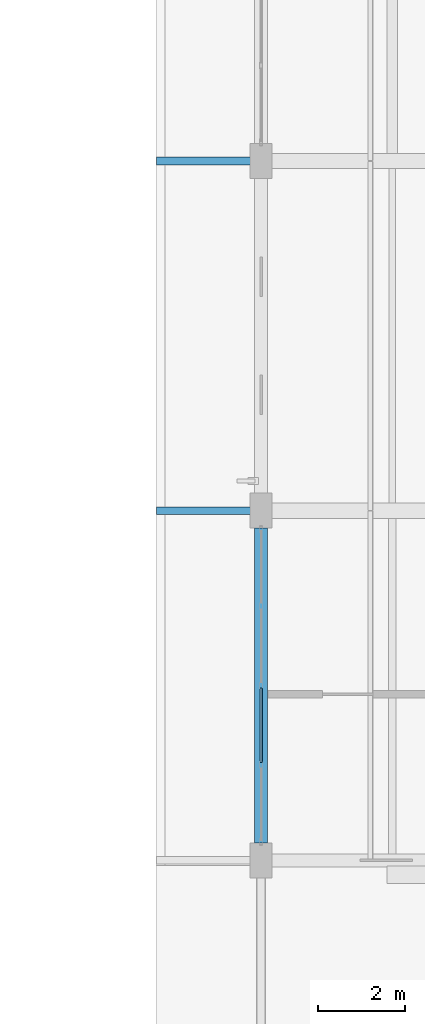
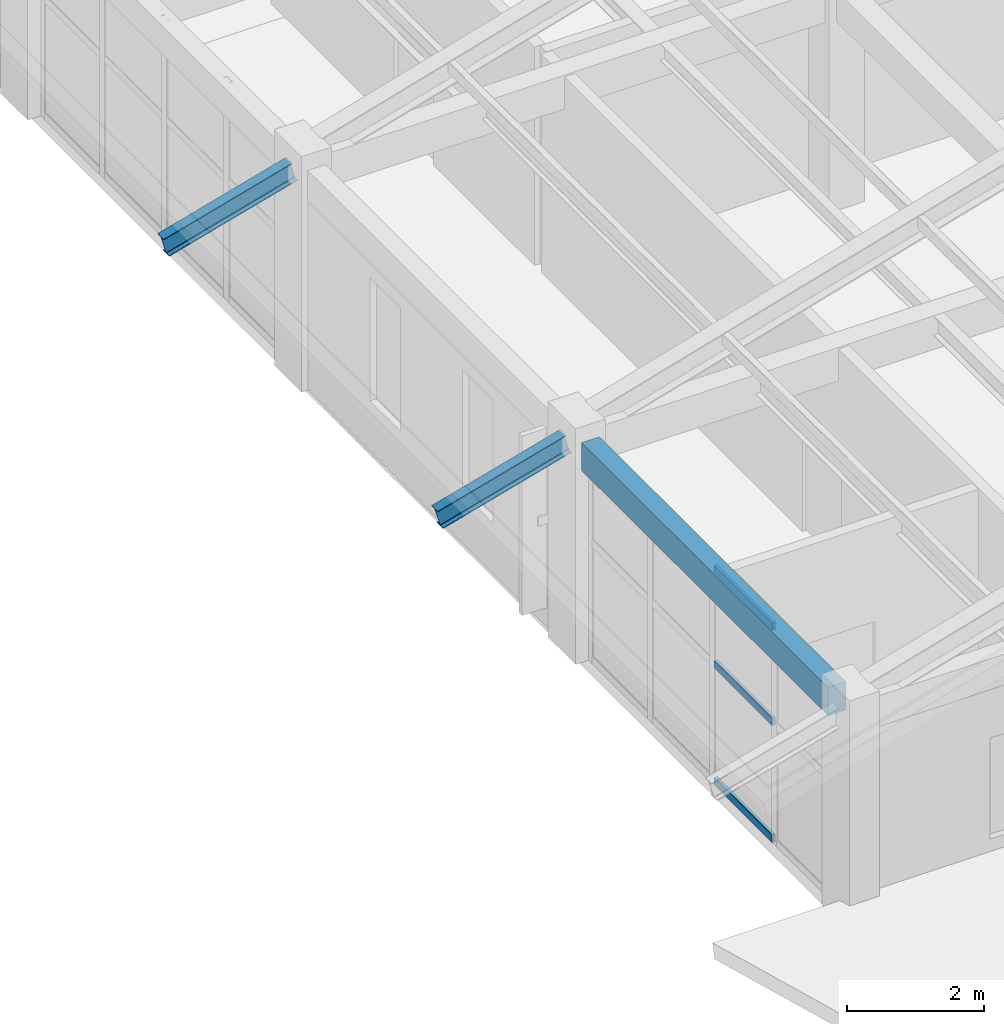
# One storey, part 11 of 58: 3 beams, 3 members, 1 element without a shape of its own.
"""IFC4 building model written with IfcOpenShell, lengths in metres."""

import ifcopenshell
import ifcopenshell.guid

model = None  # the IFC model being written
_history = None  # IfcOwnerHistory: only IFC2X3 demands one
_inside = {}  # id of a spatial element -> (the spatial element, [elements in it])
_under = {}  # id of a project, library or spatial element -> (it, [spatial elements below it])
_declared = {}  # id of a project -> (the project, [libraries it declares])
_typed = {}  # id of a type object -> (the type object, [elements of that type])
_made_of = {}  # id of a material, layer set ... -> (it, [elements and type objects made of it])


def new_model(schema):
    """Start an empty IFC model of exactly this schema.

    Asked for "IFC4X3", IfcOpenShell would pick the latest addendum, in which some entities
    have other attributes; the version numbers below select the first issue.
    IFC2X3 requires an IfcOwnerHistory on every rooted entity: one is made here for all.
    """
    global model, _history
    if schema == "IFC4X3":
        model = ifcopenshell.file(schema_version=(4, 3, 0, 0))
    else:
        model = ifcopenshell.file(schema=schema)
    _inside.clear()
    _under.clear()
    _declared.clear()
    _typed.clear()
    _made_of.clear()
    _history = None
    if model.schema == "IFC2X3":
        org = make("IfcOrganization", Name="unknown")
        user = make(
            "IfcPersonAndOrganization",
            ThePerson=make("IfcPerson", FamilyName="unknown"),
            TheOrganization=org,
        )
        app = make(
            "IfcApplication",
            ApplicationDeveloper=org,
            Version="unknown",
            ApplicationFullName="unknown",
            ApplicationIdentifier="unknown",
        )
        _history = make(
            "IfcOwnerHistory",
            OwningUser=user,
            OwningApplication=app,
            ChangeAction="ADDED",
            CreationDate=0,
        )
    return model


def make(cls, **values):
    """One entity of the class cls with the attributes given. An attribute that is None is left unset."""
    return model.create_entity(
        cls, **{name: value for name, value in values.items() if value is not None}
    )


def rooted(cls, **values):
    """An entity with a GlobalId (a new one), such as an element, a storey or a relation."""
    return make(cls, GlobalId=ifcopenshell.guid.new(), OwnerHistory=_history, **values)


def si_unit(unit_type, name, prefix=None):
    """IfcSIUnit, for example si_unit("LENGTHUNIT", "METRE", prefix="MILLI")."""
    return make("IfcSIUnit", UnitType=unit_type, Prefix=prefix, Name=name)


def derived_unit(unit_type, elements):
    """IfcDerivedUnit: a product of units, each with its exponent."""
    return make(
        "IfcDerivedUnit",
        Elements=[
            make("IfcDerivedUnitElement", Unit=unit, Exponent=power)
            for unit, power in elements
        ],
        UnitType=unit_type,
    )


def assignment(units):
    """IfcUnitAssignment: the units of a project."""
    return None if units is None else make("IfcUnitAssignment", Units=units)


def point(xyz):
    """IfcCartesianPoint."""
    return None if xyz is None else make("IfcCartesianPoint", Coordinates=xyz)


def direction(xyz):
    """IfcDirection."""
    return None if xyz is None else make("IfcDirection", DirectionRatios=xyz)


def frame(location, z_axis=None, x_axis=None):
    """IfcAxis2Placement3D, a coordinate frame: its origin and axes. An axis left out is left unset."""
    return make(
        "IfcAxis2Placement3D",
        Location=point(location),
        Axis=direction(z_axis),
        RefDirection=direction(x_axis),
    )


def frame_2d(location, x_axis=None):
    """IfcAxis2Placement2D, a coordinate frame in the plane: its origin and x axis."""
    return make(
        "IfcAxis2Placement2D", Location=point(location), RefDirection=direction(x_axis)
    )


def origin():
    """The frame at (0, 0, 0) with its axes left unset."""
    return frame((0.0, 0.0, 0.0))


def origin_2d():
    """The frame at (0, 0) in the plane with its x axis left unset."""
    return frame_2d((0.0, 0.0))


def place(relative_to, where):
    """IfcLocalPlacement: puts the frame where relative to a parent placement (None: the world)."""
    return make(
        "IfcLocalPlacement", PlacementRelTo=relative_to, RelativePlacement=where
    )


def context(
    kind, dimensions, precision=None, world=None, true_north=None, identifier=None
):
    """IfcGeometricRepresentationContext, for example the 3D "Model" context."""
    return make(
        "IfcGeometricRepresentationContext",
        ContextIdentifier=identifier,
        ContextType=kind,
        CoordinateSpaceDimension=dimensions,
        Precision=precision,
        WorldCoordinateSystem=world,
        TrueNorth=true_north,
    )


def subcontext(parent, identifier, kind, view, scale=None):
    """IfcGeometricRepresentationSubContext, for example "Body" below "Model"."""
    return make(
        "IfcGeometricRepresentationSubContext",
        ContextIdentifier=identifier,
        ContextType=kind,
        ParentContext=parent,
        TargetScale=scale,
        TargetView=view,
    )


def project(units=None, contexts=None):
    """IfcProject with its units and contexts."""
    return rooted(
        "IfcProject",
        Name="project",
        RepresentationContexts=contexts,
        UnitsInContext=assignment(units),
    )


def spatial(cls, under=None, at=None, **own):
    """A site, building, storey or space (cls), placed at a placement, below another one or the project."""
    s = rooted(cls, ObjectPlacement=at, **own)
    if under is not None:
        _under.setdefault(under.id(), (under, []))[1].append(s)
    return s


def profile(cls, at=None, kind="AREA", **sizes):
    """A parametric profile (cls). Its sizes go by their IFC names, for example OverallWidth=200.0."""
    return make(cls, ProfileType=kind, Position=at, **sizes)


def rectangle(**sizes):
    """IfcRectangleProfileDef."""
    return profile("IfcRectangleProfileDef", **sizes)


def hollow_rectangle(**sizes):
    """IfcRectangleHollowProfileDef."""
    return profile("IfcRectangleHollowProfileDef", **sizes)


def i_section(**sizes):
    """IfcIShapeProfileDef."""
    return profile("IfcIShapeProfileDef", **sizes)


def extrude(swept, where, along, depth):
    """IfcExtrudedAreaSolid: the profile swept, set in the frame where, extruded along a direction by depth."""
    return make(
        "IfcExtrudedAreaSolid",
        SweptArea=swept,
        Position=where,
        ExtrudedDirection=direction(along),
        Depth=depth,
    )


def shape(context_of_items, identifier, shape_type, items):
    """IfcShapeRepresentation: the items that make up one representation, for example the "Body"."""
    return make(
        "IfcShapeRepresentation",
        ContextOfItems=context_of_items,
        RepresentationIdentifier=identifier,
        RepresentationType=shape_type,
        Items=items,
    )


def material(Name=None, Category=None):
    """IfcMaterial."""
    return make("IfcMaterial", Name=Name, Category=Category)


def material_profile(
    of_material, cross_section, Name=None, Category=None, Priority=None
):
    """IfcMaterialProfile: a cross section and its material."""
    return make(
        "IfcMaterialProfile",
        Name=Name,
        Material=of_material,
        Profile=cross_section,
        Priority=Priority,
        Category=Category,
    )


def profile_set(profiles, Name=None, composite=None):
    """IfcMaterialProfileSet."""
    return make(
        "IfcMaterialProfileSet",
        Name=Name,
        MaterialProfiles=profiles,
        CompositeProfile=composite,
    )


def made_of(thing, what):
    """Note that an element or type object is made of a material, layer set ...; save() writes the relation."""
    if what is not None:
        _made_of.setdefault(what.id(), (what, []))[1].append(thing)
    return thing


def type_object(cls, material=None, **own):
    """A type object (cls), such as IfcWallType, which elements share."""
    return made_of(rooted(cls, **own), material)


def element(
    cls,
    number,
    at=None,
    inside=None,
    cuts=None,
    type_object=None,
    material=None,
    context=None,
    identifier="Body",
    shape_type=None,
    held_by="IfcProductDefinitionShape",
    body=None,
    shapes=None,
    **own,
):
    """One element of the class cls, such as IfcWall. Its Tag is "e" and its number.

    at: its placement. inside: the storey or other place that contains it. cuts: it is an
    opening in that element (IfcRelVoidsElement). A single representation is given by context,
    identifier, shape_type and body (its items); several are given by shapes. held_by: the class
    of the entity that holds the representations. save() writes the other relations.
    """
    e = rooted(cls, Tag="e%d" % number, ObjectPlacement=at, **own)
    if body is not None:
        shapes = [shape(context, identifier, shape_type, body)]
    if shapes is not None:
        e.Representation = make(held_by, Representations=shapes)
    if inside is not None:
        _inside.setdefault(inside.id(), (inside, []))[1].append(e)
    if cuts is not None:
        rooted(
            "IfcRelVoidsElement", RelatingBuildingElement=cuts, RelatedOpeningElement=e
        )
    if type_object is not None:
        _typed.setdefault(type_object.id(), (type_object, []))[1].append(e)
    return made_of(e, material)


def aggregate(whole, parts):
    """IfcRelAggregates: a whole, such as a stair, and the parts it consists of."""
    return rooted("IfcRelAggregates", RelatingObject=whole, RelatedObjects=parts)


def save(model, path):
    """Write the relations noted so far, then the file.

    IfcRelAggregates (storeys below a building ...), IfcRelContainedInSpatialStructure (elements
    in a storey), IfcRelDefinesByType, IfcRelAssociatesMaterial and IfcRelDeclares: one each for
    every whole, place, type object, material and project.
    """
    for whole, parts in _under.values():
        aggregate(whole, parts)
    for where, things in _inside.values():
        rooted(
            "IfcRelContainedInSpatialStructure",
            RelatedElements=things,
            RelatingStructure=where,
        )
    for kind, things in _typed.values():
        rooted("IfcRelDefinesByType", RelatedObjects=things, RelatingType=kind)
    for what, things in _made_of.values():
        rooted("IfcRelAssociatesMaterial", RelatedObjects=things, RelatingMaterial=what)
    for by, libraries in _declared.values():
        rooted("IfcRelDeclares", RelatingContext=by, RelatedDefinitions=libraries)
    model.write(path)


model = new_model("IFC4")

# Units and contexts
model_context = context("Model", 3, precision=1e-05, world=origin(), true_north=direction((0.0, 1.0)))
body_context = subcontext(model_context, "Body", "Model", "MODEL_VIEW")
ifc_project = project(units=[si_unit("LENGTHUNIT", "METRE"), si_unit("AREAUNIT", "SQUARE_METRE"), si_unit("VOLUMEUNIT", "CUBIC_METRE"), si_unit("PLANEANGLEUNIT", "RADIAN"), si_unit("MASSUNIT", "GRAM", prefix="KILO"), derived_unit("THERMALTRANSMITTANCEUNIT", [(si_unit("MASSUNIT", "GRAM", prefix="KILO"), 1), (si_unit("TIMEUNIT", "SECOND"), -3), (si_unit("THERMODYNAMICTEMPERATUREUNIT", "KELVIN"), -1)])], contexts=[model_context])

# Site, building, storey
site_placement = place(None, origin())
site = spatial("IfcSite", under=ifc_project, at=site_placement, CompositionType="ELEMENT")
building_placement = place(site_placement, origin())
building = spatial("IfcBuilding", under=site, at=building_placement, Name="Zhenchuan Archway Interchange", CompositionType="ELEMENT")
storey_placement = place(building_placement, frame((0.0, 0.0, 22.800048828125)))
storey = spatial("IfcBuildingStorey", under=building, at=storey_placement, Name="L05", CompositionType="ELEMENT", Elevation=22.800048828125)

# Beams
ifc_material_1 = material(Name="Steel Q355", Category="steel")
ifc_material_profile_1 = material_profile(ifc_material_1, i_section(OverallWidth=0.175048828125, OverallDepth=0.35009765625, WebThickness=0.007080078125, FlangeThickness=0.010986328125, FilletRadius=0.013916015625, at=origin_2d()), Name="HN 350x175")
ifc_profile_set_1 = profile_set([ifc_material_profile_1], Name="Steel Q355")
beam_type_1 = type_object("IfcBeamType", Name="BM_STL_EAVE_HN350", PredefinedType="BEAM", material=ifc_profile_set_1)
for number, where, z_axis, x_axis, name in (
    (1, (143.820068359375, 32.0, 3.719970703125), (-0.963829493521, 0.0, -0.266519619201), (0.0, -1.0, 0.0), "Command wing west storm-eave bracket T2"),
    (2, (143.820068359375, 40.0, 3.719970703125), (-0.963829493521, 0.0, -0.266519619201), (0.0, -1.0, 0.0), "Command wing west storm-eave bracket T3"),
):
    element("IfcBeam", number, at=place(storey_placement, frame(where, z_axis=z_axis, x_axis=x_axis)), inside=storey, type_object=beam_type_1, Name=name, PredefinedType="BEAM", context=body_context, shape_type="SweptSolid", body=[
        extrude(i_section(OverallWidth=0.175048828125, OverallDepth=0.35009765625, WebThickness=0.007080078125, FlangeThickness=0.010986328125, FilletRadius=0.013916015625, at=origin_2d()), origin(), (0.0, 0.0, 1.0), 2.251708984375),
    ])

# Curtain wall, members
ifc_material_2 = material(Name="Anodised Aluminium", Category="aluminium")
curtain_wall_type = type_object("IfcCurtainWallType", Name="CW_UNIT_2", PredefinedType="NOTDEFINED", material=ifc_material_2)
curtain_wall_placement = place(storey_placement, origin())
curtain_wall = element("IfcCurtainWall", 3, at=curtain_wall_placement, inside=storey, type_object=curtain_wall_type, Name="Unitised curtain wall CW:L05:201", PredefinedType="NOTDEFINED")
ifc_material_profile_2 = material_profile(ifc_material_2, hollow_rectangle(XDim=0.06005859375, YDim=0.139892578125, WallThickness=0.00341796875, InnerFilletRadius=0.00341796875, OuterFilletRadius=0.007080078125, at=origin_2d()), Name="ALU 140x60x3.5")
ifc_profile_set_2 = profile_set([ifc_material_profile_2], Name="Anodised Aluminium")
member_type = type_object("IfcMemberType", Name="CW_TRN_140", PredefinedType="USERDEFINED", material=ifc_profile_set_2)
member_1_placement = place(storey_placement, frame((144.0, 26.243896484375, 0.06005859375), z_axis=(0.0, 1.0, 0.0), x_axis=(-1.0, 0.0, 0.0)))
member_1 = element("IfcMember", 4, at=member_1_placement, type_object=member_type, Name="CW:L05:201 transom 1-1", ObjectType="TRANSOM", PredefinedType="USERDEFINED", context=body_context, shape_type="SweptSolid", body=[
    extrude(hollow_rectangle(XDim=0.06005859375, YDim=0.139892578125, WallThickness=0.00341796875, InnerFilletRadius=0.00341796875, OuterFilletRadius=0.007080078125, at=origin_2d()), origin(), (0.0, 0.0, 1.0), 1.696044921875),
])
member_2_placement = place(storey_placement, frame((144.0, 26.243896484375, 2.14501953125), z_axis=(0.0, 1.0, 0.0), x_axis=(-1.0, 0.0, 0.0)))
member_2 = element("IfcMember", 5, at=member_2_placement, type_object=member_type, Name="CW:L05:201 transom 1-2", ObjectType="TRANSOM", PredefinedType="USERDEFINED", context=body_context, shape_type="SweptSolid", body=[
    extrude(hollow_rectangle(XDim=0.06005859375, YDim=0.139892578125, WallThickness=0.00341796875, InnerFilletRadius=0.00341796875, OuterFilletRadius=0.007080078125, at=origin_2d()), origin(), (0.0, 0.0, 1.0), 1.696044921875),
])
member_3_placement = place(storey_placement, frame((144.0, 26.243896484375, 3.83984375), z_axis=(0.0, 1.0, 0.0), x_axis=(-1.0, 0.0, 0.0)))
member_3 = element("IfcMember", 6, at=member_3_placement, type_object=member_type, Name="CW:L05:201 transom 1-3", ObjectType="TRANSOM", PredefinedType="USERDEFINED", context=body_context, shape_type="SweptSolid", body=[
    extrude(hollow_rectangle(XDim=0.06005859375, YDim=0.139892578125, WallThickness=0.00341796875, InnerFilletRadius=0.00341796875, OuterFilletRadius=0.007080078125, at=origin_2d()), origin(), (0.0, 0.0, 1.0), 1.696044921875),
])
aggregate(curtain_wall, [member_1, member_2, member_3])

# Beam
ifc_material_3 = material(Name="Concrete C40", Category="concrete")
ifc_material_profile_3 = material_profile(ifc_material_3, rectangle(XDim=0.300048828125, YDim=0.5, at=origin_2d()), Name="RC 300x500")
ifc_profile_set_3 = profile_set([ifc_material_profile_3], Name="Concrete C40")
beam_type_2 = type_object("IfcBeamType", Name="SP_RC_300x500", PredefinedType="SPANDREL", material=ifc_profile_set_3)
beam_placement = place(storey_placement, frame((144.0, 24.39990234375, 3.669921875), z_axis=(0.0, 1.0, 0.0), x_axis=(-1.0, 0.0, 0.0)))
element("IfcBeam", 7, at=beam_placement, inside=storey, type_object=beam_type_2, Name="Beam 17:D-E (L05)", PredefinedType="SPANDREL", context=body_context, shape_type="SweptSolid", body=[
    extrude(rectangle(XDim=0.300048828125, YDim=0.5, at=origin_2d()), origin(), (0.0, 0.0, 1.0), 7.2001953125),
])

save(model, "model.ifc")
